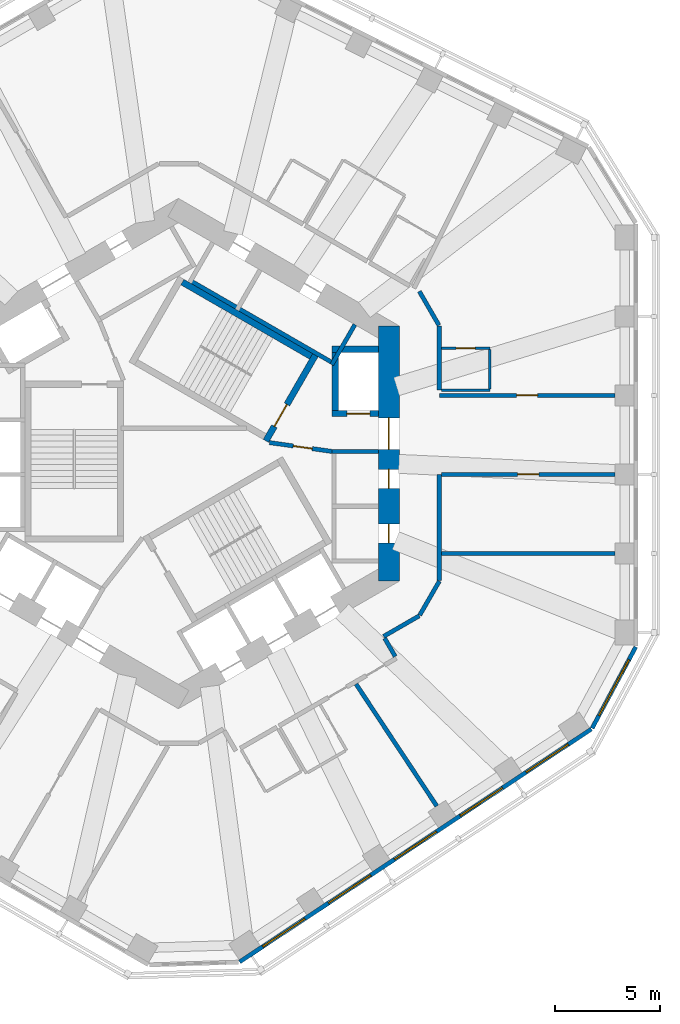
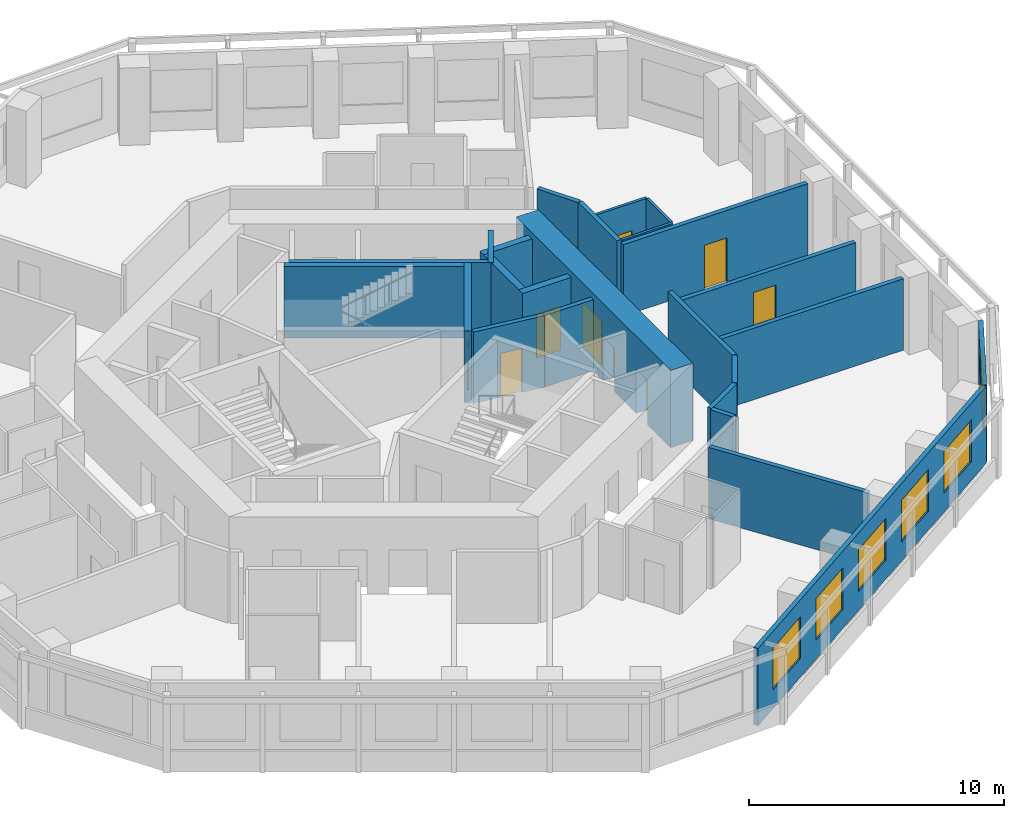
# One storey, part 6 of 11: 25 walls, 9 doors, 6 windows, 15 openings.
"""IFC4 building model written with IfcOpenShell, lengths in metres."""

from ifc_helpers import new_model, si_unit, direction, frame, frame_2d, origin, place, context, subcontext, project, spatial, rectangle, extrude, material, layer, layer_set, type_object, element, fill, save


model = new_model("IFC4")

# Units and contexts
model_context = context("Model", 3, precision=1e-05, world=origin(), true_north=direction((0.0, 1.0)))
body_context = subcontext(model_context, "Body", "Model", "MODEL_VIEW")
ifc_project = project(units=[si_unit("LENGTHUNIT", "METRE"), si_unit("AREAUNIT", "SQUARE_METRE"), si_unit("VOLUMEUNIT", "CUBIC_METRE"), si_unit("PLANEANGLEUNIT", "RADIAN"), si_unit("MASSUNIT", "GRAM", prefix="KILO")], contexts=[model_context])

# Site, building, storey
site_placement = place(None, origin())
site = spatial("IfcSite", under=ifc_project, at=site_placement, CompositionType="ELEMENT")
building_placement = place(site_placement, origin())
building = spatial("IfcBuilding", under=site, at=building_placement, Name="Vanh Sen Convention Tower", CompositionType="ELEMENT")
storey_placement = place(building_placement, frame((0.0, 0.0, 176.199951171875)))
storey = spatial("IfcBuildingStorey", under=building, at=storey_placement, Name="L43", CompositionType="ELEMENT", Elevation=176.199951171875)

# Wall, opening, door
ifc_material_1 = material(Name="Moisture-resistant gypsum board on steel studs", Category="steel")
ifc_layer_1 = layer(ifc_material_1, 0.1201171875)
ifc_layer_set_1 = layer_set([ifc_layer_1], Name="Moisture-resistant gypsum board on steel studs")
wall_type_1 = type_object("IfcWallType", Name="Bathroom partition 120", PredefinedType="PARTITIONING", material=ifc_layer_set_1)
wall_1_placement = place(storey_placement, frame((12.5, 5.01123046875, 0.0), z_axis=(0.0, 0.0, 1.0), x_axis=(1.0, 0.0, 0.0)))
wall_1 = element("IfcWall", 1, at=wall_1_placement, inside=storey, type_object=wall_type_1, Name="Bathroom partition 120", PredefinedType="PARTITIONING", context=body_context, shape_type="SweptSolid", body=[
    extrude(rectangle(XDim=2.300048828125, YDim=0.1201171875, at=frame_2d((1.14990234375, 0.0))), origin(), (0.0, 0.0, 1.0), 3.420166015625),
])
opening_1_placement = place(wall_1_placement, frame((0.699951171875, 0.0, 0.0)))
opening_1 = element("IfcOpeningElement", 2, at=opening_1_placement, cuts=wall_1, Name="Opening D41102", PredefinedType="OPENING", context=body_context, shape_type="SweptSolid", body=[
    extrude(rectangle(XDim=0.89990234375, YDim=2.10009765625, at=frame_2d((0.449951171875, 1.050048828125))), frame((0.0, 0.070068359375, 0.0), z_axis=(0.0, -1.0, 0.0), x_axis=(1.0, 0.0, 0.0)), (0.0, 0.0, 1.0), 0.14013671875),
])
ifc_material_2 = material(Name="Laminate door in steel frame", Category="steel")
door_type_1 = type_object("IfcDoorType", Name="Room internal door 900", OperationType="SINGLE_SWING_LEFT", PredefinedType="DOOR", material=ifc_material_2)
door_1_placement = place(opening_1_placement, origin())
door_1 = element("IfcDoor", 3, at=door_1_placement, inside=storey, type_object=door_type_1, Name="Internal room door D41102", OperationType="SINGLE_SWING_LEFT", OverallHeight=2.10009765625, OverallWidth=0.89990234375, PredefinedType="DOOR", context=body_context, shape_type="SweptSolid", body=[
    extrude(rectangle(XDim=0.89990234375, YDim=2.10009765625, at=frame_2d((0.449951171875, 1.050048828125))), frame((0.0, 0.02490234375, 0.0), z_axis=(0.0, -1.0, 0.0), x_axis=(1.0, 0.0, 0.0)), (0.0, 0.0, 1.0), 0.050048828125),
])
fill(opening_1, door_1)

# Walls
wall_2_placement = place(storey_placement, frame((14.800048828125, 3.01123046875, 0.0), z_axis=(0.0, 0.0, 1.0), x_axis=(-1.0, 0.0, 0.0)))
element("IfcWall", 4, at=wall_2_placement, inside=storey, type_object=wall_type_1, Name="Bathroom partition 120", PredefinedType="PARTITIONING", context=body_context, shape_type="SweptSolid", body=[
    extrude(rectangle(XDim=2.300048828125, YDim=0.1201171875, at=frame_2d((1.14990234375, 0.0))), origin(), (0.0, 0.0, 1.0), 3.420166015625),
])
wall_3_placement = place(storey_placement, frame((14.800048828125, 4.951416015625, 0.0), z_axis=(0.0, 0.0, 1.0), x_axis=(0.0, -1.0, 0.0)))
element("IfcWall", 5, at=wall_3_placement, inside=storey, type_object=wall_type_1, Name="Bathroom partition 120", PredefinedType="PARTITIONING", context=body_context, shape_type="SweptSolid", body=[
    extrude(rectangle(XDim=1.880126953125, YDim=0.1201171875, at=frame_2d((0.93994140625, 0.0))), origin(), (0.0, 0.0, 1.0), 3.420166015625),
])

# Wall, openings, doors
ifc_material_3 = material(Name="Concrete C80/95", Category="concrete")
ifc_layer_2 = layer(ifc_material_3, 1.0)
ifc_layer_set_2 = layer_set([ifc_layer_2], Name="Concrete C80/95")
wall_type_2 = type_object("IfcWallType", Name="Core outer wall 1000 C80/95", PredefinedType="SHEAR", material=ifc_layer_set_2)
wall_4_placement = place(storey_placement, frame((10.0, -6.062255859375, 0.0), z_axis=(0.0, 0.0, 1.0), x_axis=(0.0, 1.0, 0.0)))
wall_4 = element("IfcWall", 6, at=wall_4_placement, inside=storey, type_object=wall_type_2, Name="Core wall face E L43", PredefinedType="SHEAR", context=body_context, shape_type="SweptSolid", body=[
    extrude(rectangle(XDim=12.12451171875, YDim=1.0, at=frame_2d((6.062255859375, 0.0))), origin(), (0.0, 0.0, 1.0), 3.699951171875),
])
opening_2_placement = place(wall_4_placement, frame((6.26220703125, 0.0, 0.0)))
opening_2 = element("IfcOpeningElement", 7, at=opening_2_placement, cuts=wall_4, Name="Opening D41001", PredefinedType="OPENING", context=body_context, shape_type="SweptSolid", body=[
    extrude(rectangle(XDim=1.5, YDim=2.10009765625, at=frame_2d((0.75, 1.050048828125))), frame((0.0, 0.510009765625, 0.0), z_axis=(0.0, -1.0, 0.0), x_axis=(1.0, 0.0, 0.0)), (0.0, 0.0, 1.0), 1.02001953125),
])
opening_3_placement = place(wall_4_placement, frame((1.812255859375, 0.0, 0.0)))
opening_3 = element("IfcOpeningElement", 8, at=opening_3_placement, cuts=wall_4, Name="Opening D41009", PredefinedType="OPENING", context=body_context, shape_type="SweptSolid", body=[
    extrude(rectangle(XDim=0.89990234375, YDim=2.10009765625, at=frame_2d((0.449951171875, 1.050048828125))), frame((0.0, 0.510009765625, 0.0), z_axis=(0.0, -1.0, 0.0), x_axis=(1.0, 0.0, 0.0)), (0.0, 0.0, 1.0), 1.02001953125),
])
opening_4_placement = place(wall_4_placement, frame((4.412109375, 0.0, 0.0)))
opening_4 = element("IfcOpeningElement", 9, at=opening_4_placement, cuts=wall_4, Name="Opening D41010", PredefinedType="OPENING", context=body_context, shape_type="SweptSolid", body=[
    extrude(rectangle(XDim=0.89990234375, YDim=2.10009765625, at=frame_2d((0.449951171875, 1.050048828125))), frame((0.0, 0.510009765625, 0.0), z_axis=(0.0, -1.0, 0.0), x_axis=(1.0, 0.0, 0.0)), (0.0, 0.0, 1.0), 1.02001953125),
])
ifc_material_4 = material(Name="Steel S355", Category="steel")
door_type_2 = type_object("IfcDoorType", Name="Plant door 900", OperationType="SINGLE_SWING_LEFT", PredefinedType="DOOR", material=ifc_material_4)
door_2_placement = place(opening_3_placement, origin())
door_2 = element("IfcDoor", 10, at=door_2_placement, inside=storey, type_object=door_type_2, Name="Plant door D41009", OperationType="SINGLE_SWING_LEFT", OverallHeight=2.10009765625, OverallWidth=0.89990234375, PredefinedType="DOOR", context=body_context, shape_type="SweptSolid", body=[
    extrude(rectangle(XDim=0.89990234375, YDim=2.10009765625, at=frame_2d((0.449951171875, 1.050048828125))), frame((0.0, 0.02490234375, 0.0), z_axis=(0.0, -1.0, 0.0), x_axis=(1.0, 0.0, 0.0)), (0.0, 0.0, 1.0), 0.050048828125),
])
fill(opening_3, door_2)
door_3_placement = place(opening_4_placement, origin())
door_3 = element("IfcDoor", 11, at=door_3_placement, inside=storey, type_object=door_type_2, Name="Plant door D41010", OperationType="SINGLE_SWING_LEFT", OverallHeight=2.10009765625, OverallWidth=0.89990234375, PredefinedType="DOOR", context=body_context, shape_type="SweptSolid", body=[
    extrude(rectangle(XDim=0.89990234375, YDim=2.10009765625, at=frame_2d((0.449951171875, 1.050048828125))), frame((0.0, 0.02490234375, 0.0), z_axis=(0.0, -1.0, 0.0), x_axis=(1.0, 0.0, 0.0)), (0.0, 0.0, 1.0), 0.050048828125),
])
fill(opening_4, door_3)
door_type_3 = type_object("IfcDoorType", Name="Stair lobby door 1500", OperationType="DOUBLE_DOOR_SINGLE_SWING", PredefinedType="DOOR", material=ifc_material_4)
door_4_placement = place(opening_2_placement, origin())
door_4 = element("IfcDoor", 12, at=door_4_placement, inside=storey, type_object=door_type_3, Name="Stair lobby door D41001", OperationType="DOUBLE_DOOR_SINGLE_SWING", OverallHeight=2.10009765625, OverallWidth=1.5, PredefinedType="DOOR", context=body_context, shape_type="SweptSolid", body=[
    extrude(rectangle(XDim=1.5, YDim=2.10009765625, at=frame_2d((0.75, 1.050048828125))), frame((0.0, 0.02490234375, 0.0), z_axis=(0.0, -1.0, 0.0), x_axis=(1.0, 0.0, 0.0)), (0.0, 0.0, 1.0), 0.050048828125),
])
fill(opening_2, door_4)

# Walls
ifc_material_5 = material(Name="Gypsum board on steel studs with mineral wool", Category="steel")
ifc_layer_3 = layer(ifc_material_5, 0.199951171875)
ifc_layer_set_3 = layer_set([ifc_layer_3], Name="Gypsum board on steel studs with mineral wool")
wall_type_3 = type_object("IfcWallType", Name="Corridor partition wall 200", PredefinedType="PARTITIONING", material=ifc_layer_set_3)
wall_5_placement = place(storey_placement, frame((9.751708984375, -8.688232421875, 0.0), z_axis=(0.0, 0.0, 1.0), x_axis=(0.865974105138, 0.500088841337, 0.0)))
element("IfcWall", 13, at=wall_5_placement, inside=storey, type_object=wall_type_3, Name="Corridor partition wall 200", PredefinedType="PARTITIONING", context=body_context, shape_type="SweptSolid", body=[
    extrude(rectangle(XDim=1.961181640625, YDim=0.199951171875, at=frame_2d((0.98046875, 0.0))), origin(), (0.0, 0.0, 1.0), 3.420166015625),
])
wall_6_placement = place(storey_placement, frame((10.302001953125, -9.6416015625, 0.0), z_axis=(0.0, 0.0, 1.0), x_axis=(-0.500074377092, 0.865982457891, 0.0)))
element("IfcWall", 14, at=wall_6_placement, inside=storey, type_object=wall_type_3, Name="Corridor partition wall 200", PredefinedType="PARTITIONING", context=body_context, shape_type="SweptSolid", body=[
    extrude(rectangle(XDim=1.000732421875, YDim=0.199951171875, at=frame_2d((0.50048828125, 0.0))), origin(), (0.0, 0.0, 1.0), 3.420166015625),
])
for number, where, z_axis, x_axis, name in (
    (15, (11.469970703125, -7.673095703125, 0.0), (0.0, 0.0, 1.0), (0.499964847546, 0.866045698112, 0.0), "Corridor partition wall 200"),
    (16, (12.3798828125, 6.0966796875, 0.0), (0.0, 0.0, 1.0), (-0.499964847546, 0.866045698112, 0.0), "Corridor partition wall 200"),
):
    element("IfcWall", number, at=place(storey_placement, frame(where, z_axis=z_axis, x_axis=x_axis)), inside=storey, type_object=wall_type_3, Name=name, PredefinedType="PARTITIONING", context=body_context, shape_type="SweptSolid", body=[
        extrude(rectangle(XDim=1.860107421875, YDim=0.199951171875, at=frame_2d((0.93017578125, 0.0))), origin(), (0.0, 0.0, 1.0), 3.420166015625),
    ])
wall_7_placement = place(storey_placement, frame((12.39990234375, -6.022216796875, 0.0), z_axis=(0.0, 0.0, 1.0), x_axis=(0.0, 1.0, 0.0)))
element("IfcWall", 17, at=wall_7_placement, inside=storey, type_object=wall_type_3, Name="Corridor partition wall 200", PredefinedType="PARTITIONING", context=body_context, shape_type="SweptSolid", body=[
    extrude(rectangle(XDim=5.029296875, YDim=0.199951171875, at=frame_2d((2.5146484375, 0.0))), origin(), (0.0, 0.0, 1.0), 3.420166015625),
])
wall_8_placement = place(storey_placement, frame((12.39990234375, 3.01123046875, 0.0), z_axis=(0.0, 0.0, 1.0), x_axis=(0.0, 1.0, 0.0)))
element("IfcWall", 18, at=wall_8_placement, inside=storey, type_object=wall_type_3, Name="Corridor partition wall 200", PredefinedType="PARTITIONING", context=body_context, shape_type="SweptSolid", body=[
    extrude(rectangle(XDim=3.051025390625, YDim=0.199951171875, at=frame_2d((1.525390625, 0.0))), origin(), (0.0, 0.0, 1.0), 3.420166015625),
])

# Wall, opening, door
wall_9_placement = place(storey_placement, frame((12.5, -0.992919921875, 0.0), z_axis=(0.0, 0.0, 1.0), x_axis=(1.0, 0.0, 0.0)))
wall_9 = element("IfcWall", 19, at=wall_9_placement, inside=storey, type_object=wall_type_3, Name="Corridor partition wall 200", PredefinedType="PARTITIONING", context=body_context, shape_type="SweptSolid", body=[
    extrude(rectangle(XDim=8.25, YDim=0.199951171875, at=frame_2d((4.125, 0.0))), origin(), (0.0, 0.0, 1.0), 2.8701171875),
])
opening_5_placement = place(wall_9_placement, frame((3.625, 0.0, 0.0)))
opening_5 = element("IfcOpeningElement", 20, at=opening_5_placement, cuts=wall_9, Name="Opening D41120", PredefinedType="OPENING", context=body_context, shape_type="SweptSolid", body=[
    extrude(rectangle(XDim=1.0, YDim=2.10009765625, at=frame_2d((0.5, 1.050048828125))), frame((0.0, 0.10986328125, 0.0), z_axis=(0.0, -1.0, 0.0), x_axis=(1.0, 0.0, 0.0)), (0.0, 0.0, 1.0), 0.219970703125),
])
ifc_material_6 = material(Name="Glazed fire door in steel frame", Category="steel")
door_type_4 = type_object("IfcDoorType", Name="Tenant entrance door 1000", OperationType="SINGLE_SWING_LEFT", PredefinedType="DOOR", material=ifc_material_6)
door_5_placement = place(opening_5_placement, origin())
door_5 = element("IfcDoor", 21, at=door_5_placement, inside=storey, type_object=door_type_4, Name="Tenant suite entrance door D41120", OperationType="SINGLE_SWING_LEFT", OverallHeight=2.10009765625, OverallWidth=1.0, PredefinedType="DOOR", context=body_context, shape_type="SweptSolid", body=[
    extrude(rectangle(XDim=1.0, YDim=2.10009765625, at=frame_2d((0.5, 1.050048828125))), frame((0.0, 0.02490234375, 0.0), z_axis=(0.0, -1.0, 0.0), x_axis=(1.0, 0.0, 0.0)), (0.0, 0.0, 1.0), 0.050048828125),
])
fill(opening_5, door_5)

wall_10_placement = place(storey_placement, frame((20.75, 2.76123046875, 0.0), z_axis=(0.0, 0.0, 1.0), x_axis=(-1.0, 0.0, 0.0)))
wall_10 = element("IfcWall", 22, at=wall_10_placement, inside=storey, type_object=wall_type_3, Name="Corridor partition wall 200", PredefinedType="PARTITIONING", context=body_context, shape_type="SweptSolid", body=[
    extrude(rectangle(XDim=8.35009765625, YDim=0.199951171875, at=frame_2d((4.175048828125, 0.0))), origin(), (0.0, 0.0, 1.0), 3.420166015625),
])
opening_6_placement = place(wall_10_placement, frame((3.675048828125, 0.0, 0.0)))
opening_6 = element("IfcOpeningElement", 23, at=opening_6_placement, cuts=wall_10, Name="Opening D41101", PredefinedType="OPENING", context=body_context, shape_type="SweptSolid", body=[
    extrude(rectangle(XDim=1.0, YDim=2.10009765625, at=frame_2d((0.5, 1.050048828125))), frame((0.0, 0.10986328125, 0.0), z_axis=(0.0, -1.0, 0.0), x_axis=(1.0, 0.0, 0.0)), (0.0, 0.0, 1.0), 0.219970703125),
])
door_6_placement = place(opening_6_placement, origin())
door_6 = element("IfcDoor", 24, at=door_6_placement, inside=storey, type_object=door_type_4, Name="Tenant suite entrance door D41101", OperationType="SINGLE_SWING_LEFT", OverallHeight=2.10009765625, OverallWidth=1.0, PredefinedType="DOOR", context=body_context, shape_type="SweptSolid", body=[
    extrude(rectangle(XDim=1.0, YDim=2.10009765625, at=frame_2d((0.5, 1.050048828125))), frame((0.0, 0.02490234375, 0.0), z_axis=(0.0, -1.0, 0.0), x_axis=(1.0, 0.0, 0.0)), (0.0, 0.0, 1.0), 0.050048828125),
])
fill(opening_6, door_6)

# Wall, openings, windows
ifc_material_7 = material(Name="Insulated lightweight infill wall")
ifc_layer_4 = layer(ifc_material_7, 0.199951171875)
ifc_layer_set_4 = layer_set([ifc_layer_4], Name="Insulated lightweight infill wall")
wall_type_4 = type_object("IfcWallType", Name="External wall 200", PredefinedType="STANDARD", material=ifc_layer_set_4)
wall_11_placement = place(storey_placement, frame((2.910888671875, -24.156005859375, 0.0), z_axis=(0.0, 0.0, 1.0), x_axis=(0.833882163564, 0.551942512668, 0.0)))
wall_11 = element("IfcWall", 25, at=wall_11_placement, inside=storey, type_object=wall_type_4, Name="External wall SE L43", PredefinedType="STANDARD", context=body_context, shape_type="SweptSolid", body=[
    extrude(rectangle(XDim=20.043701171875, YDim=0.199951171875, at=frame_2d((10.02197265625, 0.0))), origin(), (0.0, 0.0, 1.0), 3.699951171875),
])
opening_7_placement = place(wall_11_placement, frame((1.312744140625, 0.0, 0.89990234375)))
opening_7 = element("IfcOpeningElement", 26, at=opening_7_placement, cuts=wall_11, Name="Opening WO1-SE1", PredefinedType="OPENING", context=body_context, shape_type="SweptSolid", body=[
    extrude(rectangle(XDim=2.39990234375, YDim=2.0, at=frame_2d((1.199951171875, 1.0))), frame((0.0, 0.10986328125, 0.0), z_axis=(0.0, -1.0, 0.0), x_axis=(1.0, 0.0, 0.0)), (0.0, 0.0, 1.0), 0.219970703125),
])
opening_8_placement = place(wall_11_placement, frame((5.06689453125, 0.0, 0.89990234375)))
opening_8 = element("IfcOpeningElement", 27, at=opening_8_placement, cuts=wall_11, Name="Opening WO1-SE2", PredefinedType="OPENING", context=body_context, shape_type="SweptSolid", body=[
    extrude(rectangle(XDim=2.39990234375, YDim=2.0, at=frame_2d((1.199951171875, 1.0))), frame((0.0, 0.10986328125, 0.0), z_axis=(0.0, -1.0, 0.0), x_axis=(1.0, 0.0, 0.0)), (0.0, 0.0, 1.0), 0.219970703125),
])
opening_9_placement = place(wall_11_placement, frame((8.82080078125, 0.0, 0.89990234375)))
opening_9 = element("IfcOpeningElement", 28, at=opening_9_placement, cuts=wall_11, Name="Opening WO1-SE3", PredefinedType="OPENING", context=body_context, shape_type="SweptSolid", body=[
    extrude(rectangle(XDim=2.39990234375, YDim=2.0, at=frame_2d((1.199951171875, 1.0))), frame((0.0, 0.10986328125, 0.0), z_axis=(0.0, -1.0, 0.0), x_axis=(1.0, 0.0, 0.0)), (0.0, 0.0, 1.0), 0.219970703125),
])
opening_10_placement = place(wall_11_placement, frame((12.5751953125, 0.0, 0.89990234375)))
opening_10 = element("IfcOpeningElement", 29, at=opening_10_placement, cuts=wall_11, Name="Opening WO1-SE4", PredefinedType="OPENING", context=body_context, shape_type="SweptSolid", body=[
    extrude(rectangle(XDim=2.39990234375, YDim=2.0, at=frame_2d((1.199951171875, 1.0))), frame((0.0, 0.10986328125, 0.0), z_axis=(0.0, -1.0, 0.0), x_axis=(1.0, 0.0, 0.0)), (0.0, 0.0, 1.0), 0.219970703125),
])
opening_11_placement = place(wall_11_placement, frame((16.3291015625, 0.0, 0.89990234375)))
opening_11 = element("IfcOpeningElement", 30, at=opening_11_placement, cuts=wall_11, Name="Opening WO1-SE5", PredefinedType="OPENING", context=body_context, shape_type="SweptSolid", body=[
    extrude(rectangle(XDim=2.39990234375, YDim=2.0, at=frame_2d((1.199951171875, 1.0))), frame((0.0, 0.10986328125, 0.0), z_axis=(0.0, -1.0, 0.0), x_axis=(1.0, 0.0, 0.0)), (0.0, 0.0, 1.0), 0.219970703125),
])
ifc_material_8 = material(Name="Aluminium frame with clear low-emissivity glass", Category="aluminium")
window_type_1 = type_object("IfcWindowType", Name="Office window 2400 x 2000", PartitioningType="SINGLE_PANEL", PredefinedType="WINDOW", material=ifc_material_8)
window_1_placement = place(opening_7_placement, origin())
window_1 = element("IfcWindow", 31, at=window_1_placement, inside=storey, type_object=window_type_1, Name="Window WO1-SE1", OverallHeight=2.0, OverallWidth=2.39990234375, PartitioningType="SINGLE_PANEL", PredefinedType="WINDOW", context=body_context, shape_type="SweptSolid", body=[
    extrude(rectangle(XDim=2.39990234375, YDim=2.0, at=frame_2d((1.199951171875, 1.0))), frame((0.0, 0.030029296875, 0.0), z_axis=(0.0, -1.0, 0.0), x_axis=(1.0, 0.0, 0.0)), (0.0, 0.0, 1.0), 0.06005859375),
])
fill(opening_7, window_1)
window_2_placement = place(opening_8_placement, origin())
window_2 = element("IfcWindow", 32, at=window_2_placement, inside=storey, type_object=window_type_1, Name="Window WO1-SE2", OverallHeight=2.0, OverallWidth=2.39990234375, PartitioningType="SINGLE_PANEL", PredefinedType="WINDOW", context=body_context, shape_type="SweptSolid", body=[
    extrude(rectangle(XDim=2.39990234375, YDim=2.0, at=frame_2d((1.199951171875, 1.0))), frame((0.0, 0.030029296875, 0.0), z_axis=(0.0, -1.0, 0.0), x_axis=(1.0, 0.0, 0.0)), (0.0, 0.0, 1.0), 0.06005859375),
])
fill(opening_8, window_2)
window_3_placement = place(opening_9_placement, origin())
window_3 = element("IfcWindow", 33, at=window_3_placement, inside=storey, type_object=window_type_1, Name="Window WO1-SE3", OverallHeight=2.0, OverallWidth=2.39990234375, PartitioningType="SINGLE_PANEL", PredefinedType="WINDOW", context=body_context, shape_type="SweptSolid", body=[
    extrude(rectangle(XDim=2.39990234375, YDim=2.0, at=frame_2d((1.199951171875, 1.0))), frame((0.0, 0.030029296875, 0.0), z_axis=(0.0, -1.0, 0.0), x_axis=(1.0, 0.0, 0.0)), (0.0, 0.0, 1.0), 0.06005859375),
])
fill(opening_9, window_3)
window_4_placement = place(opening_10_placement, origin())
window_4 = element("IfcWindow", 34, at=window_4_placement, inside=storey, type_object=window_type_1, Name="Window WO1-SE4", OverallHeight=2.0, OverallWidth=2.39990234375, PartitioningType="SINGLE_PANEL", PredefinedType="WINDOW", context=body_context, shape_type="SweptSolid", body=[
    extrude(rectangle(XDim=2.39990234375, YDim=2.0, at=frame_2d((1.199951171875, 1.0))), frame((0.0, 0.030029296875, 0.0), z_axis=(0.0, -1.0, 0.0), x_axis=(1.0, 0.0, 0.0)), (0.0, 0.0, 1.0), 0.06005859375),
])
fill(opening_10, window_4)
window_5_placement = place(opening_11_placement, origin())
window_5 = element("IfcWindow", 35, at=window_5_placement, inside=storey, type_object=window_type_1, Name="Window WO1-SE5", OverallHeight=2.0, OverallWidth=2.39990234375, PartitioningType="SINGLE_PANEL", PredefinedType="WINDOW", context=body_context, shape_type="SweptSolid", body=[
    extrude(rectangle(XDim=2.39990234375, YDim=2.0, at=frame_2d((1.199951171875, 1.0))), frame((0.0, 0.030029296875, 0.0), z_axis=(0.0, -1.0, 0.0), x_axis=(1.0, 0.0, 0.0)), (0.0, 0.0, 1.0), 0.06005859375),
])
fill(opening_11, window_5)

# Wall, opening, window
wall_12_placement = place(storey_placement, frame((19.657958984375, -13.05712890625, 0.0), z_axis=(0.0, 0.0, 1.0), x_axis=(0.473307879841, 0.880897071672, 0.0)))
wall_12 = element("IfcWall", 36, at=wall_12_placement, inside=storey, type_object=wall_type_4, Name="External wall CH6 L43", PredefinedType="STANDARD", context=body_context, shape_type="SweptSolid", body=[
    extrude(rectangle(XDim=4.394775390625, YDim=0.199951171875, at=frame_2d((2.197265625, 0.0))), origin(), (0.0, 0.0, 1.0), 3.699951171875),
])
opening_12_placement = place(wall_12_placement, frame((0.697509765625, 0.0, 0.89990234375)))
opening_12 = element("IfcOpeningElement", 37, at=opening_12_placement, cuts=wall_12, Name="Opening WO2-CH61", PredefinedType="OPENING", context=body_context, shape_type="SweptSolid", body=[
    extrude(rectangle(XDim=3.0, YDim=2.0, at=frame_2d((1.5, 1.0))), frame((0.0, 0.10986328125, 0.0), z_axis=(0.0, -1.0, 0.0), x_axis=(1.0, 0.0, 0.0)), (0.0, 0.0, 1.0), 0.219970703125),
])
window_type_2 = type_object("IfcWindowType", Name="Office window 3000 x 2000", PartitioningType="SINGLE_PANEL", PredefinedType="WINDOW", material=ifc_material_8)
window_6_placement = place(opening_12_placement, origin())
window_6 = element("IfcWindow", 38, at=window_6_placement, inside=storey, type_object=window_type_2, Name="Window WO2-CH61", OverallHeight=2.0, OverallWidth=3.0, PartitioningType="SINGLE_PANEL", PredefinedType="WINDOW", context=body_context, shape_type="SweptSolid", body=[
    extrude(rectangle(XDim=3.0, YDim=2.0, at=frame_2d((1.5, 1.0))), frame((0.0, 0.030029296875, 0.0), z_axis=(0.0, -1.0, 0.0), x_axis=(1.0, 0.0, 0.0)), (0.0, 0.0, 1.0), 0.06005859375),
])
fill(opening_12, window_6)

# Wall, opening, door
ifc_material_9 = material(Name="Concrete C60/75", Category="concrete")
ifc_layer_5 = layer(ifc_material_9, 0.300048828125)
ifc_layer_set_5 = layer_set([ifc_layer_5], Name="Concrete C60/75")
wall_type_5 = type_object("IfcWallType", Name="Fire-fighting lift shaft wall 300", PredefinedType="SHEAR", material=ifc_layer_set_5)
wall_13_placement = place(storey_placement, frame((7.300048828125, 1.89990234375, 0.0), z_axis=(0.0, 0.0, 1.0), x_axis=(1.0, 0.0, 0.0)))
wall_13 = element("IfcWall", 39, at=wall_13_placement, inside=storey, type_object=wall_type_5, Name="Fire-fighting lift shaft wall L43", PredefinedType="SHEAR", context=body_context, shape_type="SweptSolid", body=[
    extrude(rectangle(XDim=2.199951171875, YDim=0.300048828125, at=frame_2d((1.10009765625, 0.0))), origin(), (0.0, 0.0, 1.0), 3.420166015625),
])
opening_13_placement = place(wall_13_placement, frame((0.699951171875, 0.0, 0.0)))
opening_13 = element("IfcOpeningElement", 40, at=opening_13_placement, cuts=wall_13, Name="Opening LD-FF1", PredefinedType="OPENING", context=body_context, shape_type="SweptSolid", body=[
    extrude(rectangle(XDim=1.10009765625, YDim=2.10009765625, at=frame_2d((0.550048828125, 1.050048828125))), frame((0.0, 0.159912109375, 0.0), z_axis=(0.0, -1.0, 0.0), x_axis=(1.0, 0.0, 0.0)), (0.0, 0.0, 1.0), 0.320068359375),
])
ifc_material_10 = material(Name="Stainless steel", Category="steel")
door_type_5 = type_object("IfcDoorType", Name="Fire-fighting lift landing door 1100", OperationType="DOUBLE_DOOR_SLIDING", PredefinedType="DOOR", material=ifc_material_10)
door_7_placement = place(opening_13_placement, origin())
door_7 = element("IfcDoor", 41, at=door_7_placement, inside=storey, type_object=door_type_5, Name="Lift FF1 landing door LD-FF1", OperationType="DOUBLE_DOOR_SLIDING", OverallHeight=2.10009765625, OverallWidth=1.10009765625, PredefinedType="DOOR", context=body_context, shape_type="SweptSolid", body=[
    extrude(rectangle(XDim=1.10009765625, YDim=2.10009765625, at=frame_2d((0.550048828125, 1.050048828125))), frame((0.0, 0.02490234375, 0.0), z_axis=(0.0, -1.0, 0.0), x_axis=(1.0, 0.0, 0.0)), (0.0, 0.0, 1.0), 0.050048828125),
])
fill(opening_13, door_7)

# Walls
wall_14_placement = place(storey_placement, frame((7.449951171875, 1.75, 0.0), z_axis=(0.0, 0.0, 1.0), x_axis=(0.0, 1.0, 0.0)))
element("IfcWall", 42, at=wall_14_placement, inside=storey, type_object=wall_type_5, Name="Fire-fighting lift shaft wall L43", PredefinedType="SHEAR", context=body_context, shape_type="SweptSolid", body=[
    extrude(rectangle(XDim=3.35009765625, YDim=0.300048828125, at=frame_2d((1.675048828125, 0.0))), origin(), (0.0, 0.0, 1.0), 3.420166015625),
])
wall_15_placement = place(storey_placement, frame((7.300048828125, 4.949951171875, 0.0), z_axis=(0.0, 0.0, 1.0), x_axis=(1.0, 0.0, 0.0)))
element("IfcWall", 43, at=wall_15_placement, inside=storey, type_object=wall_type_5, Name="Fire-fighting lift shaft wall L43", PredefinedType="SHEAR", context=body_context, shape_type="SweptSolid", body=[
    extrude(rectangle(XDim=2.199951171875, YDim=0.300048828125, at=frame_2d((1.10009765625, 0.0))), origin(), (0.0, 0.0, 1.0), 3.420166015625),
])
ifc_material_11 = material(Name="Concrete C40/50", Category="concrete")
ifc_layer_6 = layer(ifc_material_11, 0.199951171875)
ifc_layer_set_6 = layer_set([ifc_layer_6], Name="Concrete C40/50")
wall_type_6 = type_object("IfcWallType", Name="Lift shaft wall 200", PredefinedType="PARTITIONING", material=ifc_layer_set_6)
wall_16_placement = place(storey_placement, frame((7.300048828125, 0.10009765625, 0.0), z_axis=(0.0, 0.0, 1.0), x_axis=(1.0, 0.0, 0.0)))
element("IfcWall", 44, at=wall_16_placement, inside=storey, type_object=wall_type_6, Name="Lift shaft wall L43", PredefinedType="PARTITIONING", context=body_context, shape_type="SweptSolid", body=[
    extrude(rectangle(XDim=2.199951171875, YDim=0.199951171875, at=frame_2d((1.10009765625, 0.0))), origin(), (0.0, 0.0, 1.0), 3.420166015625),
])
wall_17_placement = place(storey_placement, frame((7.423828125, 4.258544921875, 0.0), z_axis=(0.0, 0.0, 1.0), x_axis=(-0.866026010844, 0.49999894854, 0.0)))
element("IfcWall", 45, at=wall_17_placement, inside=storey, type_object=wall_type_6, Name="Lift shaft wall L43", PredefinedType="PARTITIONING", context=body_context, shape_type="SweptSolid", body=[
    extrude(rectangle(XDim=8.0, YDim=0.199951171875, at=frame_2d((4.0, 0.0))), origin(), (0.0, 0.0, 1.0), 3.420166015625),
])
wall_18_placement = place(storey_placement, frame((7.287353515625, 4.221923828125, 0.0), z_axis=(0.0, 0.0, 1.0), x_axis=(0.499946605688, 0.86605622881, 0.0)))
element("IfcWall", 46, at=wall_18_placement, inside=storey, type_object=wall_type_6, Name="Lift shaft wall L43", PredefinedType="PARTITIONING", context=body_context, shape_type="SweptSolid", body=[
    extrude(rectangle(XDim=2.199951171875, YDim=0.199951171875, at=frame_2d((1.10009765625, 0.0))), origin(), (0.0, 0.0, 1.0), 3.420166015625),
])

# Wall, opening, door
ifc_layer_7 = layer(ifc_material_11, 0.199951171875)
ifc_layer_set_7 = layer_set([ifc_layer_7], Name="Concrete C40/50")
wall_type_7 = type_object("IfcWallType", Name="Stair lobby wall 200", PredefinedType="PARTITIONING", material=ifc_layer_set_7)
wall_19_placement = place(storey_placement, frame((4.327392578125, 0.52099609375, 0.0), z_axis=(0.0, 0.0, 1.0), x_axis=(0.990124376366, -0.14019172346, 0.0)))
wall_19 = element("IfcWall", 47, at=wall_19_placement, inside=storey, type_object=wall_type_7, Name="Stair lobby wall L43", PredefinedType="PARTITIONING", context=body_context, shape_type="SweptSolid", body=[
    extrude(rectangle(XDim=3.002197265625, YDim=0.199951171875, at=frame_2d((1.5009765625, 0.0))), origin(), (0.0, 0.0, 1.0), 3.420166015625),
])
opening_14_placement = place(wall_19_placement, frame((1.14990234375, 0.0, 0.0)))
opening_14 = element("IfcOpeningElement", 48, at=opening_14_placement, cuts=wall_19, Name="Opening D41007", PredefinedType="OPENING", context=body_context, shape_type="SweptSolid", body=[
    extrude(rectangle(XDim=0.89990234375, YDim=2.10009765625, at=frame_2d((0.449951171875, 1.050048828125))), frame((0.0, 0.10986328125, 0.0), z_axis=(0.0, -1.0, 0.0), x_axis=(1.0, 0.0, 0.0)), (0.0, 0.0, 1.0), 0.219970703125),
])
door_8_placement = place(opening_14_placement, origin())
door_8 = element("IfcDoor", 49, at=door_8_placement, inside=storey, type_object=door_type_2, Name="Plant door D41007", OperationType="SINGLE_SWING_LEFT", OverallHeight=2.10009765625, OverallWidth=0.89990234375, PredefinedType="DOOR", context=body_context, shape_type="SweptSolid", body=[
    extrude(rectangle(XDim=0.89990234375, YDim=2.10009765625, at=frame_2d((0.449951171875, 1.050048828125))), frame((0.0, 0.02490234375, 0.0), z_axis=(0.0, -1.0, 0.0), x_axis=(1.0, 0.0, 0.0)), (0.0, 0.0, 1.0), 0.050048828125),
])
fill(opening_14, door_8)

ifc_layer_8 = layer(ifc_material_9, 0.300048828125)
ifc_layer_set_8 = layer_set([ifc_layer_8], Name="Concrete C60/75")
wall_type_8 = type_object("IfcWallType", Name="Stair wall 300", PredefinedType="SHEAR", material=ifc_layer_set_8)
wall_20_placement = place(storey_placement, frame((4.157958984375, 0.601806640625, 0.0), z_axis=(0.0, 0.0, 1.0), x_axis=(0.499977259774, 0.866038532462, 0.0)))
wall_20 = element("IfcWall", 50, at=wall_20_placement, inside=storey, type_object=wall_type_8, Name="Stair wall L43", PredefinedType="SHEAR", context=body_context, shape_type="SweptSolid", body=[
    extrude(rectangle(XDim=4.699951171875, YDim=0.300048828125, at=frame_2d((2.35009765625, 0.0))), origin(), (0.0, 0.0, 1.0), 3.420166015625),
])
opening_15_placement = place(wall_20_placement, frame((0.800048828125, 0.0, 0.0)))
opening_15 = element("IfcOpeningElement", 51, at=opening_15_placement, cuts=wall_20, Name="Opening D41004", PredefinedType="OPENING", context=body_context, shape_type="SweptSolid", body=[
    extrude(rectangle(XDim=1.199951171875, YDim=2.10009765625, at=frame_2d((0.60009765625, 1.050048828125))), frame((0.0, 0.159912109375, 0.0), z_axis=(0.0, -1.0, 0.0), x_axis=(1.0, 0.0, 0.0)), (0.0, 0.0, 1.0), 0.320068359375),
])
door_type_6 = type_object("IfcDoorType", Name="Stair door 1200", OperationType="SINGLE_SWING_RIGHT", PredefinedType="DOOR", material=ifc_material_4)
door_9_placement = place(opening_15_placement, origin())
door_9 = element("IfcDoor", 52, at=door_9_placement, inside=storey, type_object=door_type_6, Name="Stair ST1 door D41004", OperationType="SINGLE_SWING_RIGHT", OverallHeight=2.10009765625, OverallWidth=1.199951171875, PredefinedType="DOOR", context=body_context, shape_type="SweptSolid", body=[
    extrude(rectangle(XDim=1.199951171875, YDim=2.10009765625, at=frame_2d((0.60009765625, 1.050048828125))), frame((0.0, 0.02490234375, 0.0), z_axis=(0.0, -1.0, 0.0), x_axis=(1.0, 0.0, 0.0)), (0.0, 0.0, 1.0), 0.050048828125),
])
fill(opening_15, door_9)

# Walls
wall_21_placement = place(storey_placement, frame((6.302978515625, 4.6171875, 0.0), z_axis=(0.0, 0.0, 1.0), x_axis=(-0.866027801685, 0.499995846692, 0.0)))
element("IfcWall", 53, at=wall_21_placement, inside=storey, type_object=wall_type_8, Name="Stair wall L43", PredefinedType="SHEAR", context=body_context, shape_type="SweptSolid", body=[
    extrude(rectangle(XDim=7.06005859375, YDim=0.300048828125, at=frame_2d((3.530029296875, 0.0))), origin(), (0.0, 0.0, 1.0), 3.420166015625),
])
ifc_layer_9 = layer(ifc_material_5, 0.199951171875)
ifc_layer_set_9 = layer_set([ifc_layer_9], Name="Gypsum board on steel studs with mineral wool")
wall_type_9 = type_object("IfcWallType", Name="Tenant suite wall 200", PredefinedType="PARTITIONING", material=ifc_layer_set_9)
wall_22_placement = place(storey_placement, frame((12.280517578125, -16.755126953125, 0.0), z_axis=(0.0, 0.0, 1.0), x_axis=(-0.551925794663, 0.833893228888, 0.0)))
element("IfcWall", 54, at=wall_22_placement, inside=storey, type_object=wall_type_9, Name="Tenant suite wall 200", PredefinedType="PARTITIONING", context=body_context, shape_type="SweptSolid", body=[
    extrude(rectangle(XDim=6.95263671875, YDim=0.199951171875, at=frame_2d((3.476318359375, 0.0))), origin(), (0.0, 0.0, 1.0), 3.420166015625),
])
wall_23_placement = place(storey_placement, frame((20.75, -4.746826171875, 0.0), z_axis=(0.0, 0.0, 1.0), x_axis=(-1.0, 0.0, 0.0)))
element("IfcWall", 55, at=wall_23_placement, inside=storey, type_object=wall_type_9, Name="Tenant suite wall 200", PredefinedType="PARTITIONING", context=body_context, shape_type="SweptSolid", body=[
    extrude(rectangle(XDim=8.25, YDim=0.199951171875, at=frame_2d((4.125, 0.0))), origin(), (0.0, 0.0, 1.0), 3.420166015625),
])

save(model, "model.ifc")
